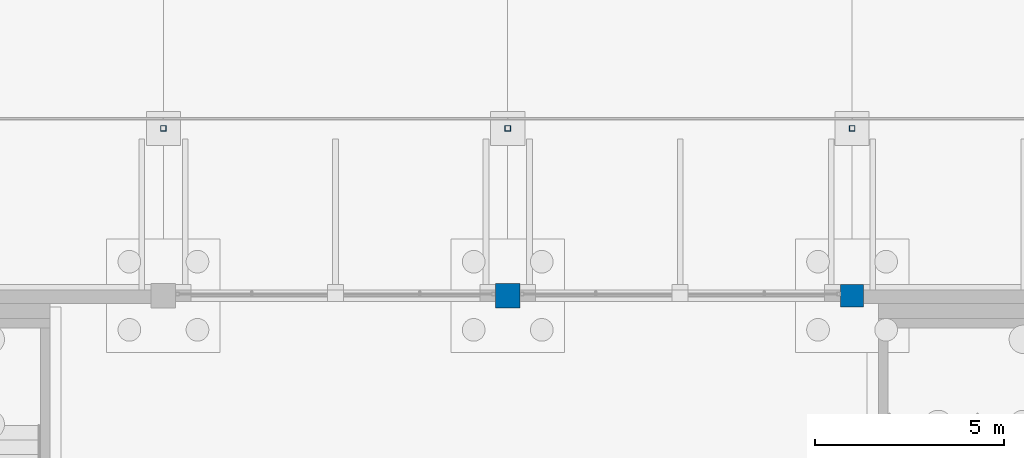
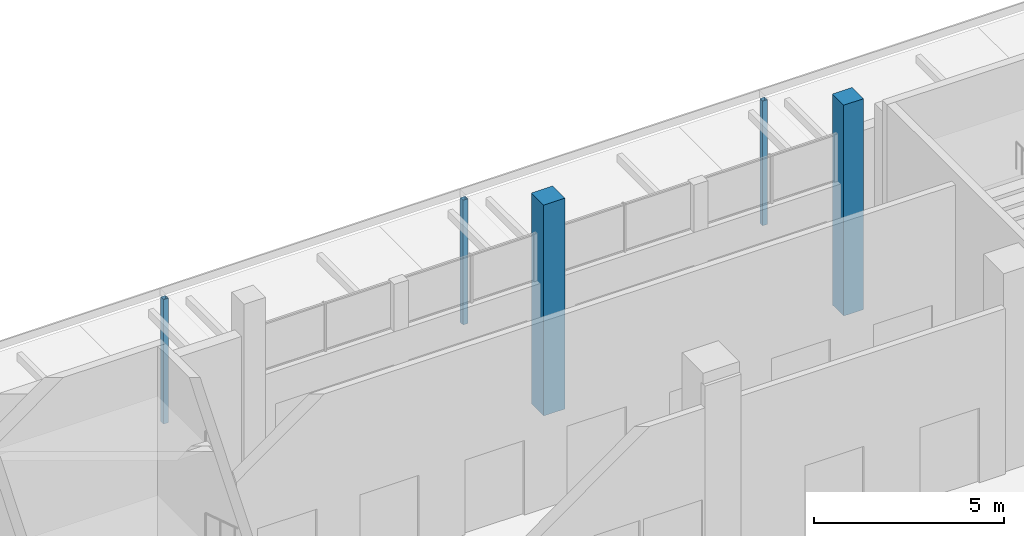
# One storey, part 32 of 129: 5 columns.
"""IFC4 building model written with IfcOpenShell, lengths in metres."""

from ifc_helpers import new_model, si_unit, direction, frame, origin, origin_2d, place, context, subcontext, project, spatial, rectangle, hollow_rectangle, extrude, material, material_profile, profile_set, type_object, element, save


model = new_model("IFC4")

# Units and contexts
model_context = context("Model", 3, precision=1e-05, world=origin(), true_north=direction((0.0, 1.0)))
body_context = subcontext(model_context, "Body", "Model", "MODEL_VIEW")
ifc_project = project(units=[si_unit("LENGTHUNIT", "METRE"), si_unit("AREAUNIT", "SQUARE_METRE"), si_unit("VOLUMEUNIT", "CUBIC_METRE"), si_unit("PLANEANGLEUNIT", "RADIAN"), si_unit("MASSUNIT", "GRAM", prefix="KILO")], contexts=[model_context])

# Site, building, storey
site_placement = place(None, origin())
site = spatial("IfcSite", under=ifc_project, at=site_placement, CompositionType="ELEMENT")
building_placement = place(site_placement, origin())
building = spatial("IfcBuilding", under=site, at=building_placement, Name="Shirokan Park Arena", CompositionType="ELEMENT")
storey_placement = place(building_placement, origin())
storey = spatial("IfcBuildingStorey", under=building, at=storey_placement, Name="L00", CompositionType="ELEMENT", Elevation=0.0)

# Columns
ifc_material_1 = material(Name="Concrete C35", Category="concrete")
ifc_material_profile_1 = material_profile(ifc_material_1, rectangle(XDim=0.60009765625, YDim=0.60009765625, at=origin_2d()), Name="600x600")
ifc_profile_set_1 = profile_set([ifc_material_profile_1], Name="Concrete C35")
column_type_1 = type_object("IfcColumnType", Name="RC column 600x600", PredefinedType="COLUMN", material=ifc_profile_set_1)
column_1_placement = place(storey_placement, frame((81.89990234375, 109.199951171875, -0.39990234375), z_axis=(0.0, 0.0, 1.0), x_axis=(1.0, 0.0, 0.0)))
element("IfcColumn", 1, at=column_1_placement, inside=storey, type_object=column_type_1, Name="Column 10N L00", PredefinedType="COLUMN", context=body_context, shape_type="SweptSolid", body=[
    extrude(rectangle(XDim=0.60009765625, YDim=0.60009765625, at=origin_2d()), origin(), (0.0, 0.0, 1.0), 6.77001953125),
])
ifc_material_profile_2 = material_profile(ifc_material_1, rectangle(XDim=0.64990234375, YDim=0.64990234375, at=origin_2d()), Name="650x650")
ifc_profile_set_2 = profile_set([ifc_material_profile_2], Name="Concrete C35")
column_type_2 = type_object("IfcColumnType", Name="RC column 650x650", PredefinedType="COLUMN", material=ifc_profile_set_2)
column_2_placement = place(storey_placement, frame((72.800048828125, 109.199951171875, -0.39990234375), z_axis=(0.0, 0.0, 1.0), x_axis=(1.0, 0.0, 0.0)))
element("IfcColumn", 2, at=column_2_placement, inside=storey, type_object=column_type_2, Name="Column 9N L00", PredefinedType="COLUMN", context=body_context, shape_type="SweptSolid", body=[
    extrude(rectangle(XDim=0.64990234375, YDim=0.64990234375, at=origin_2d()), origin(), (0.0, 0.0, 1.0), 6.77001953125),
])
ifc_material_2 = material(Name="Steel S355", Category="steel")
ifc_material_profile_3 = material_profile(ifc_material_2, hollow_rectangle(XDim=0.14990234375, YDim=0.14990234375, WallThickness=0.008056640625, at=origin_2d()), Name="RHS 150x150x8")
ifc_profile_set_3 = profile_set([ifc_material_profile_3], Name="Steel S355")
column_type_3 = type_object("IfcColumnType", Name="Steel post RHS 150x150x8", PredefinedType="COLUMN", material=ifc_profile_set_3)
for number, where, z_axis, x_axis, name in (
    (3, (81.89990234375, 113.625, -0.39990234375), (0.0, 0.0, 1.0), (1.0, 0.0, 0.0), "Canopy post north grid 8"),
    (4, (72.800048828125, 113.625, -0.39990234375), (0.0, 0.0, 1.0), (1.0, 0.0, 0.0), "Canopy post north grid 9"),
    (5, (63.699951171875, 113.625, -0.39990234375), (0.0, 0.0, 1.0), (1.0, 0.0, 0.0), "Canopy post north grid 10"),
):
    element("IfcColumn", number, at=place(storey_placement, frame(where, z_axis=z_axis, x_axis=x_axis)), inside=storey, type_object=column_type_3, Name=name, PredefinedType="COLUMN", context=body_context, shape_type="SweptSolid", body=[
        extrude(hollow_rectangle(XDim=0.14990234375, YDim=0.14990234375, WallThickness=0.008056640625, at=origin_2d()), origin(), (0.0, 0.0, 1.0), 4.0),
    ])

save(model, "model.ifc")
